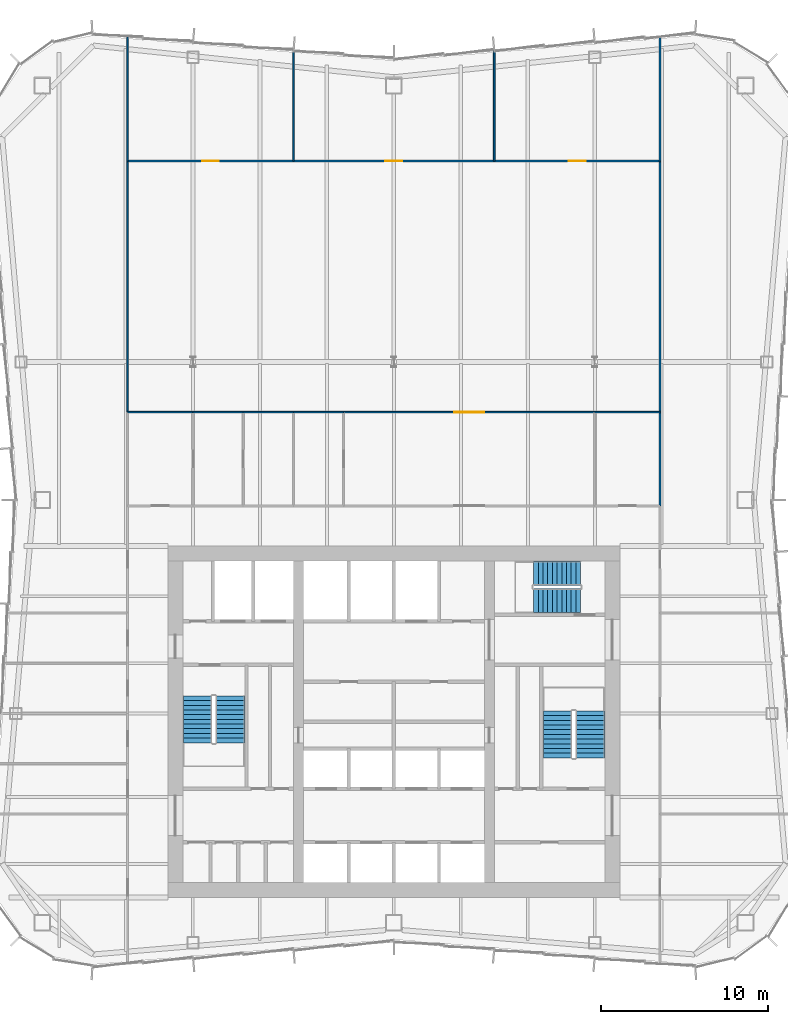
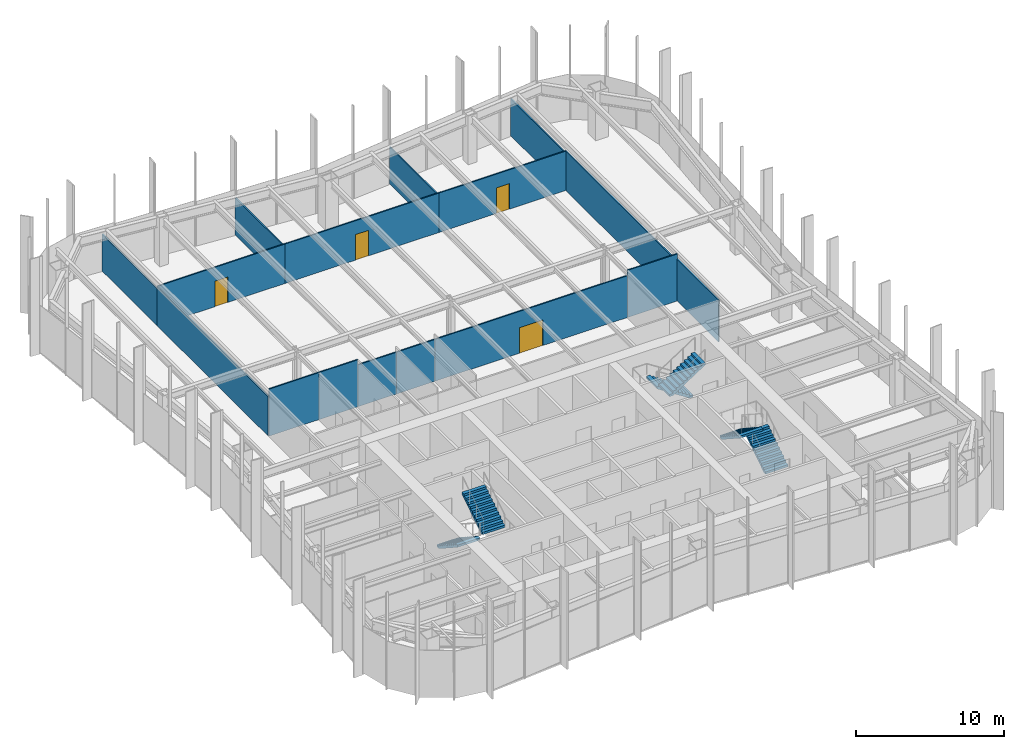
# One storey, part 12 of 13: 16 walls, 6 stair flights, 4 doors, 4 openings, 3 elements without a shape of their own.
"""IFC4 building model written with IfcOpenShell, lengths in metres."""

import ifcopenshell
import ifcopenshell.guid

model = None  # the IFC model being written
_history = None  # IfcOwnerHistory: only IFC2X3 demands one
_inside = {}  # id of a spatial element -> (the spatial element, [elements in it])
_under = {}  # id of a project, library or spatial element -> (it, [spatial elements below it])
_declared = {}  # id of a project -> (the project, [libraries it declares])
_typed = {}  # id of a type object -> (the type object, [elements of that type])
_made_of = {}  # id of a material, layer set ... -> (it, [elements and type objects made of it])


def new_model(schema):
    """Start an empty IFC model of exactly this schema.

    Asked for "IFC4X3", IfcOpenShell would pick the latest addendum, in which some entities
    have other attributes; the version numbers below select the first issue.
    IFC2X3 requires an IfcOwnerHistory on every rooted entity: one is made here for all.
    """
    global model, _history
    if schema == "IFC4X3":
        model = ifcopenshell.file(schema_version=(4, 3, 0, 0))
    else:
        model = ifcopenshell.file(schema=schema)
    _inside.clear()
    _under.clear()
    _declared.clear()
    _typed.clear()
    _made_of.clear()
    _history = None
    if model.schema == "IFC2X3":
        org = make("IfcOrganization", Name="unknown")
        user = make(
            "IfcPersonAndOrganization",
            ThePerson=make("IfcPerson", FamilyName="unknown"),
            TheOrganization=org,
        )
        app = make(
            "IfcApplication",
            ApplicationDeveloper=org,
            Version="unknown",
            ApplicationFullName="unknown",
            ApplicationIdentifier="unknown",
        )
        _history = make(
            "IfcOwnerHistory",
            OwningUser=user,
            OwningApplication=app,
            ChangeAction="ADDED",
            CreationDate=0,
        )
    return model


def make(cls, **values):
    """One entity of the class cls with the attributes given. An attribute that is None is left unset."""
    return model.create_entity(
        cls, **{name: value for name, value in values.items() if value is not None}
    )


def rooted(cls, **values):
    """An entity with a GlobalId (a new one), such as an element, a storey or a relation."""
    return make(cls, GlobalId=ifcopenshell.guid.new(), OwnerHistory=_history, **values)


def si_unit(unit_type, name, prefix=None):
    """IfcSIUnit, for example si_unit("LENGTHUNIT", "METRE", prefix="MILLI")."""
    return make("IfcSIUnit", UnitType=unit_type, Prefix=prefix, Name=name)


def assignment(units):
    """IfcUnitAssignment: the units of a project."""
    return None if units is None else make("IfcUnitAssignment", Units=units)


def point(xyz):
    """IfcCartesianPoint."""
    return None if xyz is None else make("IfcCartesianPoint", Coordinates=xyz)


def direction(xyz):
    """IfcDirection."""
    return None if xyz is None else make("IfcDirection", DirectionRatios=xyz)


def frame(location, z_axis=None, x_axis=None):
    """IfcAxis2Placement3D, a coordinate frame: its origin and axes. An axis left out is left unset."""
    return make(
        "IfcAxis2Placement3D",
        Location=point(location),
        Axis=direction(z_axis),
        RefDirection=direction(x_axis),
    )


def frame_2d(location, x_axis=None):
    """IfcAxis2Placement2D, a coordinate frame in the plane: its origin and x axis."""
    return make(
        "IfcAxis2Placement2D", Location=point(location), RefDirection=direction(x_axis)
    )


def origin():
    """The frame at (0, 0, 0) with its axes left unset."""
    return frame((0.0, 0.0, 0.0))


def place(relative_to, where):
    """IfcLocalPlacement: puts the frame where relative to a parent placement (None: the world)."""
    return make(
        "IfcLocalPlacement", PlacementRelTo=relative_to, RelativePlacement=where
    )


def context(
    kind, dimensions, precision=None, world=None, true_north=None, identifier=None
):
    """IfcGeometricRepresentationContext, for example the 3D "Model" context."""
    return make(
        "IfcGeometricRepresentationContext",
        ContextIdentifier=identifier,
        ContextType=kind,
        CoordinateSpaceDimension=dimensions,
        Precision=precision,
        WorldCoordinateSystem=world,
        TrueNorth=true_north,
    )


def subcontext(parent, identifier, kind, view, scale=None):
    """IfcGeometricRepresentationSubContext, for example "Body" below "Model"."""
    return make(
        "IfcGeometricRepresentationSubContext",
        ContextIdentifier=identifier,
        ContextType=kind,
        ParentContext=parent,
        TargetScale=scale,
        TargetView=view,
    )


def project(units=None, contexts=None):
    """IfcProject with its units and contexts."""
    return rooted(
        "IfcProject",
        Name="project",
        RepresentationContexts=contexts,
        UnitsInContext=assignment(units),
    )


def spatial(cls, under=None, at=None, **own):
    """A site, building, storey or space (cls), placed at a placement, below another one or the project."""
    s = rooted(cls, ObjectPlacement=at, **own)
    if under is not None:
        _under.setdefault(under.id(), (under, []))[1].append(s)
    return s


def polyline(points):
    """IfcPolyline through the points."""
    return make("IfcPolyline", Points=[point(p) for p in points])


def profile(cls, at=None, kind="AREA", **sizes):
    """A parametric profile (cls). Its sizes go by their IFC names, for example OverallWidth=200.0."""
    return make(cls, ProfileType=kind, Position=at, **sizes)


def rectangle(**sizes):
    """IfcRectangleProfileDef."""
    return profile("IfcRectangleProfileDef", **sizes)


def outline(outer, holes=None, kind="AREA"):
    """IfcArbitraryClosedProfileDef: a profile drawn as a closed curve; with holes, ...WithVoids."""
    if holes is None:
        return make("IfcArbitraryClosedProfileDef", ProfileType=kind, OuterCurve=outer)
    return make(
        "IfcArbitraryProfileDefWithVoids",
        ProfileType=kind,
        OuterCurve=outer,
        InnerCurves=holes,
    )


def extrude(swept, where, along, depth):
    """IfcExtrudedAreaSolid: the profile swept, set in the frame where, extruded along a direction by depth."""
    return make(
        "IfcExtrudedAreaSolid",
        SweptArea=swept,
        Position=where,
        ExtrudedDirection=direction(along),
        Depth=depth,
    )


def shape(context_of_items, identifier, shape_type, items):
    """IfcShapeRepresentation: the items that make up one representation, for example the "Body"."""
    return make(
        "IfcShapeRepresentation",
        ContextOfItems=context_of_items,
        RepresentationIdentifier=identifier,
        RepresentationType=shape_type,
        Items=items,
    )


def material(Name=None, Category=None):
    """IfcMaterial."""
    return make("IfcMaterial", Name=Name, Category=Category)


def layer(
    of_material, thickness, ventilated=None, Name=None, Category=None, Priority=None
):
    """IfcMaterialLayer: one layer of a wall or slab, of a material (None: an air gap)."""
    return make(
        "IfcMaterialLayer",
        Material=of_material,
        LayerThickness=thickness,
        IsVentilated=ventilated,
        Name=Name,
        Category=Category,
        Priority=Priority,
    )


def layer_set(layers, Name=None):
    """IfcMaterialLayerSet."""
    return make("IfcMaterialLayerSet", MaterialLayers=layers, LayerSetName=Name)


def made_of(thing, what):
    """Note that an element or type object is made of a material, layer set ...; save() writes the relation."""
    if what is not None:
        _made_of.setdefault(what.id(), (what, []))[1].append(thing)
    return thing


def type_object(cls, material=None, **own):
    """A type object (cls), such as IfcWallType, which elements share."""
    return made_of(rooted(cls, **own), material)


def element(
    cls,
    number,
    at=None,
    inside=None,
    cuts=None,
    type_object=None,
    material=None,
    context=None,
    identifier="Body",
    shape_type=None,
    held_by="IfcProductDefinitionShape",
    body=None,
    shapes=None,
    **own,
):
    """One element of the class cls, such as IfcWall. Its Tag is "e" and its number.

    at: its placement. inside: the storey or other place that contains it. cuts: it is an
    opening in that element (IfcRelVoidsElement). A single representation is given by context,
    identifier, shape_type and body (its items); several are given by shapes. held_by: the class
    of the entity that holds the representations. save() writes the other relations.
    """
    e = rooted(cls, Tag="e%d" % number, ObjectPlacement=at, **own)
    if body is not None:
        shapes = [shape(context, identifier, shape_type, body)]
    if shapes is not None:
        e.Representation = make(held_by, Representations=shapes)
    if inside is not None:
        _inside.setdefault(inside.id(), (inside, []))[1].append(e)
    if cuts is not None:
        rooted(
            "IfcRelVoidsElement", RelatingBuildingElement=cuts, RelatedOpeningElement=e
        )
    if type_object is not None:
        _typed.setdefault(type_object.id(), (type_object, []))[1].append(e)
    return made_of(e, material)


def fill(opening, filler):
    """IfcRelFillsElement: the door or window that sits in an opening."""
    return rooted(
        "IfcRelFillsElement",
        RelatingOpeningElement=opening,
        RelatedBuildingElement=filler,
    )


def aggregate(whole, parts):
    """IfcRelAggregates: a whole, such as a stair, and the parts it consists of."""
    return rooted("IfcRelAggregates", RelatingObject=whole, RelatedObjects=parts)


def save(model, path):
    """Write the relations noted so far, then the file.

    IfcRelAggregates (storeys below a building ...), IfcRelContainedInSpatialStructure (elements
    in a storey), IfcRelDefinesByType, IfcRelAssociatesMaterial and IfcRelDeclares: one each for
    every whole, place, type object, material and project.
    """
    for whole, parts in _under.values():
        aggregate(whole, parts)
    for where, things in _inside.values():
        rooted(
            "IfcRelContainedInSpatialStructure",
            RelatedElements=things,
            RelatingStructure=where,
        )
    for kind, things in _typed.values():
        rooted("IfcRelDefinesByType", RelatedObjects=things, RelatingType=kind)
    for what, things in _made_of.values():
        rooted("IfcRelAssociatesMaterial", RelatedObjects=things, RelatingMaterial=what)
    for by, libraries in _declared.values():
        rooted("IfcRelDeclares", RelatingContext=by, RelatedDefinitions=libraries)
    model.write(path)


model = new_model("IFC4")

# Units and contexts
model_context = context("Model", 3, precision=1e-05, world=origin(), true_north=direction((0.0, 1.0)))
body_context = subcontext(model_context, "Body", "Model", "MODEL_VIEW")
ifc_project = project(units=[si_unit("LENGTHUNIT", "METRE"), si_unit("AREAUNIT", "SQUARE_METRE"), si_unit("VOLUMEUNIT", "CUBIC_METRE"), si_unit("PLANEANGLEUNIT", "RADIAN"), si_unit("MASSUNIT", "GRAM", prefix="KILO")], contexts=[model_context])

# Site, building, storey
site_placement = place(None, origin())
site = spatial("IfcSite", under=ifc_project, at=site_placement, CompositionType="ELEMENT")
building_placement = place(site_placement, origin())
building = spatial("IfcBuilding", under=site, at=building_placement, Name="Verdant Reach Tower", CompositionType="ELEMENT")
storey_placement = place(building_placement, frame((0.0, 0.0, 218.0)))
storey = spatial("IfcBuildingStorey", under=building, at=storey_placement, Name="L50", CompositionType="ELEMENT", Elevation=218.0)

# Walls
ifc_material_1 = material(Name="Gypsum board on steel studs", Category="steel")
ifc_layer = layer(ifc_material_1, 0.10009765625)
ifc_layer_set = layer_set([ifc_layer], Name="FL-W1 Partition 100")
wall_type = type_object("IfcWallType", Name="FL-W1 Partition 100", PredefinedType="PARTITIONING", material=ifc_layer_set)
wall_1_placement = place(storey_placement, frame((-11.99609375, 46.5, 0.0), z_axis=(0.0, 0.0, 1.0), x_axis=(-1.0, 0.0, 0.0)))
element("IfcWall", 1, at=wall_1_placement, inside=storey, type_object=wall_type, Name="Partition 50.17", PredefinedType="PARTITIONING", context=body_context, shape_type="SweptSolid", body=[
    extrude(rectangle(XDim=3.90380859375, YDim=0.10009765625, at=frame_2d((1.951904296875, 0.0))), origin(), (0.0, 0.0, 1.0), 3.8701171875),
])
wall_2_placement = place(storey_placement, frame((-8.99609375, 46.5, 0.0), z_axis=(0.0, 0.0, 1.0), x_axis=(-1.0, 0.0, 0.0)))
element("IfcWall", 2, at=wall_2_placement, inside=storey, type_object=wall_type, Name="Partition 50.20", PredefinedType="PARTITIONING", context=body_context, shape_type="SweptSolid", body=[
    extrude(rectangle(XDim=3.0078125, YDim=0.10009765625, at=frame_2d((1.50390625, 0.0))), origin(), (0.0, 0.0, 1.0), 3.8701171875),
])
for number, where, z_axis, x_axis, name in (
    (3, (-5.99609375, 46.5, 0.0), (0.0, 0.0, 1.0), (-1.0, 0.0, 0.0), "Partition 50.22"),
    (4, (-2.99609375, 46.5, 0.0), (0.0, 0.0, 1.0), (-1.0, 0.0, 0.0), "Partition 50.24"),
):
    element("IfcWall", number, at=place(storey_placement, frame(where, z_axis=z_axis, x_axis=x_axis)), inside=storey, type_object=wall_type, Name=name, PredefinedType="PARTITIONING", context=body_context, shape_type="SweptSolid", body=[
        extrude(rectangle(XDim=3.0078125, YDim=0.10009765625, at=frame_2d((1.50390625, 0.0))), origin(), (0.0, 0.0, 1.0), 3.43994140625),
    ])

# Wall, opening, door
wall_3_placement = place(storey_placement, frame((-3.00390625, 46.5, 0.0), z_axis=(0.0, 0.0, 1.0), x_axis=(1.0, 0.0, 0.0)))
wall_3 = element("IfcWall", 5, at=wall_3_placement, inside=storey, type_object=wall_type, Name="Partition 50.26", PredefinedType="PARTITIONING", context=body_context, shape_type="SweptSolid", body=[
    extrude(rectangle(XDim=15.0078125, YDim=0.10009765625, at=frame_2d((7.50390625, 0.0))), origin(), (0.0, 0.0, 1.0), 3.43994140625),
])
opening_1_placement = place(wall_3_placement, frame((6.60400390625, 0.0, 0.0)))
opening_1 = element("IfcOpeningElement", 6, at=opening_1_placement, cuts=wall_3, Name="Opening D5", PredefinedType="OPENING", context=body_context, shape_type="SweptSolid", body=[
    extrude(rectangle(XDim=1.800048828125, YDim=2.10009765625, at=frame_2d((0.89990234375, 1.050048828125))), frame((0.0, 0.06005859375, 0.0), z_axis=(0.0, -1.0, 0.0), x_axis=(1.0, 0.0, 0.0)), (0.0, 0.0, 1.0), 0.1201171875),
])
ifc_material_2 = material(Name="Painted timber door leaves", Category="wood")
door_type_1 = type_object("IfcDoorType", Name="FL-D5 Double door 1800x2100", OperationType="DOUBLE_DOOR_SINGLE_SWING", PredefinedType="DOOR", material=ifc_material_2)
door_1_placement = place(opening_1_placement, origin())
door_1 = element("IfcDoor", 7, at=door_1_placement, inside=storey, type_object=door_type_1, Name="Door 50-016", OperationType="DOUBLE_DOOR_SINGLE_SWING", OverallHeight=2.10009765625, OverallWidth=1.800048828125, PredefinedType="DOOR", context=body_context, shape_type="SweptSolid", body=[
    extrude(rectangle(XDim=1.800048828125, YDim=2.10009765625, at=frame_2d((0.89990234375, 1.050048828125))), frame((0.0, 0.02490234375, 0.0), z_axis=(0.0, -1.0, 0.0), x_axis=(1.0, 0.0, 0.0)), (0.0, 0.0, 1.0), 0.050048828125),
])
fill(opening_1, door_1)

# Walls
wall_4_placement = place(storey_placement, frame((15.89990234375, 46.5, 0.0), z_axis=(0.0, 0.0, 1.0), x_axis=(-1.0, 0.0, 0.0)))
element("IfcWall", 8, at=wall_4_placement, inside=storey, type_object=wall_type, Name="Partition 50.27", PredefinedType="PARTITIONING", context=body_context, shape_type="SweptSolid", body=[
    extrude(rectangle(XDim=3.90380859375, YDim=0.10009765625, at=frame_2d((1.951904296875, 0.0))), origin(), (0.0, 0.0, 1.0), 3.8701171875),
])
wall_5_placement = place(storey_placement, frame((15.89990234375, 40.89599609375, 0.0), z_axis=(0.0, 0.0, 1.0), x_axis=(0.0, 1.0, 0.0)))
element("IfcWall", 9, at=wall_5_placement, inside=storey, type_object=wall_type, Name="Partition 50.28", PredefinedType="PARTITIONING", context=body_context, shape_type="SweptSolid", body=[
    extrude(rectangle(XDim=5.60791015625, YDim=0.10009765625, at=frame_2d((2.803955078125, 0.0))), origin(), (0.0, 0.0, 1.0), 3.43994140625),
])

# Wall, opening, door
wall_6_placement = place(storey_placement, frame((-15.89990234375, 61.5, 0.0), z_axis=(0.0, 0.0, 1.0), x_axis=(1.0, 0.0, 0.0)))
wall_6 = element("IfcWall", 10, at=wall_6_placement, inside=storey, type_object=wall_type, Name="Partition 50.29", PredefinedType="PARTITIONING", context=body_context, shape_type="SweptSolid", body=[
    extrude(rectangle(XDim=9.89990234375, YDim=0.10009765625, at=frame_2d((4.949951171875, 0.0))), origin(), (0.0, 0.0, 1.0), 3.239990234375),
])
opening_2_placement = place(wall_6_placement, frame((4.449951171875, 0.0, 0.0)))
opening_2 = element("IfcOpeningElement", 11, at=opening_2_placement, cuts=wall_6, Name="Opening D3", PredefinedType="OPENING", context=body_context, shape_type="SweptSolid", body=[
    extrude(rectangle(XDim=1.0, YDim=2.10009765625, at=frame_2d((0.5, 1.050048828125))), frame((0.0, 0.06005859375, 0.0), z_axis=(0.0, -1.0, 0.0), x_axis=(1.0, 0.0, 0.0)), (0.0, 0.0, 1.0), 0.1201171875),
])
ifc_material_3 = material(Name="Painted timber door leaf", Category="wood")
door_type_2 = type_object("IfcDoorType", Name="FL-D3 Door 1000x2100", OperationType="NOTDEFINED", PredefinedType="DOOR", material=ifc_material_3)
door_2_placement = place(opening_2_placement, origin())
door_2 = element("IfcDoor", 12, at=door_2_placement, inside=storey, type_object=door_type_2, Name="Door 50-017", OperationType="SINGLE_SWING_LEFT", OverallHeight=2.10009765625, OverallWidth=1.0, PredefinedType="DOOR", context=body_context, shape_type="SweptSolid", body=[
    extrude(rectangle(XDim=1.0, YDim=2.10009765625, at=frame_2d((0.5, 1.050048828125))), frame((0.0, 0.02490234375, 0.0), z_axis=(0.0, -1.0, 0.0), x_axis=(1.0, 0.0, 0.0)), (0.0, 0.0, 1.0), 0.050048828125),
])
fill(opening_2, door_2)

wall_7_placement = place(storey_placement, frame((-6.0, 61.5, 0.0), z_axis=(0.0, 0.0, 1.0), x_axis=(1.0, 0.0, 0.0)))
wall_7 = element("IfcWall", 13, at=wall_7_placement, inside=storey, type_object=wall_type, Name="Partition 50.30", PredefinedType="PARTITIONING", context=body_context, shape_type="SweptSolid", body=[
    extrude(rectangle(XDim=12.0, YDim=0.10009765625, at=frame_2d((6.0, 0.0))), origin(), (0.0, 0.0, 1.0), 3.239990234375),
])
opening_3_placement = place(wall_7_placement, frame((5.5, 0.0, 0.0)))
opening_3 = element("IfcOpeningElement", 14, at=opening_3_placement, cuts=wall_7, Name="Opening D3", PredefinedType="OPENING", context=body_context, shape_type="SweptSolid", body=[
    extrude(rectangle(XDim=1.0, YDim=2.10009765625, at=frame_2d((0.5, 1.050048828125))), frame((0.0, 0.06005859375, 0.0), z_axis=(0.0, -1.0, 0.0), x_axis=(1.0, 0.0, 0.0)), (0.0, 0.0, 1.0), 0.1201171875),
])
door_3_placement = place(opening_3_placement, origin())
door_3 = element("IfcDoor", 15, at=door_3_placement, inside=storey, type_object=door_type_2, Name="Door 50-018", OperationType="SINGLE_SWING_RIGHT", OverallHeight=2.10009765625, OverallWidth=1.0, PredefinedType="DOOR", context=body_context, shape_type="SweptSolid", body=[
    extrude(rectangle(XDim=1.0, YDim=2.10009765625, at=frame_2d((0.5, 1.050048828125))), frame((0.0, 0.02490234375, 0.0), z_axis=(0.0, -1.0, 0.0), x_axis=(1.0, 0.0, 0.0)), (0.0, 0.0, 1.0), 0.050048828125),
])
fill(opening_3, door_3)

wall_8_placement = place(storey_placement, frame((6.0, 61.5, 0.0), z_axis=(0.0, 0.0, 1.0), x_axis=(1.0, 0.0, 0.0)))
wall_8 = element("IfcWall", 16, at=wall_8_placement, inside=storey, type_object=wall_type, Name="Partition 50.31", PredefinedType="PARTITIONING", context=body_context, shape_type="SweptSolid", body=[
    extrude(rectangle(XDim=9.89990234375, YDim=0.10009765625, at=frame_2d((4.949951171875, 0.0))), origin(), (0.0, 0.0, 1.0), 3.239990234375),
])
opening_4_placement = place(wall_8_placement, frame((4.449951171875, 0.0, 0.0)))
opening_4 = element("IfcOpeningElement", 17, at=opening_4_placement, cuts=wall_8, Name="Opening D3", PredefinedType="OPENING", context=body_context, shape_type="SweptSolid", body=[
    extrude(rectangle(XDim=1.0, YDim=2.10009765625, at=frame_2d((0.5, 1.050048828125))), frame((0.0, 0.06005859375, 0.0), z_axis=(0.0, -1.0, 0.0), x_axis=(1.0, 0.0, 0.0)), (0.0, 0.0, 1.0), 0.1201171875),
])
door_4_placement = place(opening_4_placement, origin())
door_4 = element("IfcDoor", 18, at=door_4_placement, inside=storey, type_object=door_type_2, Name="Door 50-019", OperationType="SINGLE_SWING_LEFT", OverallHeight=2.10009765625, OverallWidth=1.0, PredefinedType="DOOR", context=body_context, shape_type="SweptSolid", body=[
    extrude(rectangle(XDim=1.0, YDim=2.10009765625, at=frame_2d((0.5, 1.050048828125))), frame((0.0, 0.02490234375, 0.0), z_axis=(0.0, -1.0, 0.0), x_axis=(1.0, 0.0, 0.0)), (0.0, 0.0, 1.0), 0.050048828125),
])
fill(opening_4, door_4)

# Walls
for number, where, z_axis, x_axis, name in (
    (19, (-15.89990234375, 61.50390625, 0.0), (0.0, 0.0, 1.0), (0.0, -1.0, 0.0), "Partition 50.32"),
    (20, (15.89990234375, 46.49609375, 0.0), (0.0, 0.0, 1.0), (0.0, 1.0, 0.0), "Partition 50.33"),
):
    element("IfcWall", number, at=place(storey_placement, frame(where, z_axis=z_axis, x_axis=x_axis)), inside=storey, type_object=wall_type, Name=name, PredefinedType="PARTITIONING", context=body_context, shape_type="SweptSolid", body=[
        extrude(rectangle(XDim=15.0078125, YDim=0.10009765625, at=frame_2d((7.50390625, 0.0))), origin(), (0.0, 0.0, 1.0), 3.239990234375),
    ])
wall_9_placement = place(storey_placement, frame((-6.0, 61.5, 0.0), z_axis=(0.0, 0.0, 1.0), x_axis=(0.0, 1.0, 0.0)))
element("IfcWall", 21, at=wall_9_placement, inside=storey, type_object=wall_type, Name="Partition 50.34", PredefinedType="PARTITIONING", context=body_context, shape_type="SweptSolid", body=[
    extrude(rectangle(XDim=6.580078125, YDim=0.10009765625, at=frame_2d((3.2900390625, 0.0))), origin(), (0.0, 0.0, 1.0), 3.0400390625),
])
wall_10_placement = place(storey_placement, frame((-15.89990234375, 68.905029296875, 0.0), z_axis=(0.0, 0.0, 1.0), x_axis=(0.0, -1.0, 0.0)))
element("IfcWall", 22, at=wall_10_placement, inside=storey, type_object=wall_type, Name="Partition 50.35", PredefinedType="PARTITIONING", context=body_context, shape_type="SweptSolid", body=[
    extrude(rectangle(XDim=7.408935546875, YDim=0.10009765625, at=frame_2d((3.70458984375, 0.0))), origin(), (0.0, 0.0, 1.0), 3.0400390625),
])
wall_11_placement = place(storey_placement, frame((6.0, 61.5, 0.0), z_axis=(0.0, 0.0, 1.0), x_axis=(0.0, 1.0, 0.0)))
element("IfcWall", 23, at=wall_11_placement, inside=storey, type_object=wall_type, Name="Partition 50.36", PredefinedType="PARTITIONING", context=body_context, shape_type="SweptSolid", body=[
    extrude(rectangle(XDim=6.580078125, YDim=0.10009765625, at=frame_2d((3.2900390625, 0.0))), origin(), (0.0, 0.0, 1.0), 3.0400390625),
])
wall_12_placement = place(storey_placement, frame((15.89990234375, 61.49609375, 0.0), z_axis=(0.0, 0.0, 1.0), x_axis=(0.0, 1.0, 0.0)))
element("IfcWall", 24, at=wall_12_placement, inside=storey, type_object=wall_type, Name="Partition 50.37", PredefinedType="PARTITIONING", context=body_context, shape_type="SweptSolid", body=[
    extrude(rectangle(XDim=7.408935546875, YDim=0.10009765625, at=frame_2d((3.70458984375, 0.0))), origin(), (0.0, 0.0, 1.0), 3.0400390625),
])

# Stair, stair flights
ifc_material_4 = material(Name="Concrete C40/50", Category="concrete")
stair_type = type_object("IfcStairType", Name="CO-STAIR", PredefinedType="HALF_TURN_STAIR", material=ifc_material_4)
stair_1_placement = place(storey_placement, origin())
stair_1 = element("IfcStair", 25, at=stair_1_placement, inside=storey, type_object=stair_type, Name="L50 Exit stair 1", PredefinedType="HALF_TURN_STAIR")
stair_flight_type = type_object("IfcStairFlightType", Name="CO-STAIR-FLIGHT", PredefinedType="STRAIGHT", material=ifc_material_4)
stair_flight_1_placement = place(storey_placement, frame((-11.72509765625, 29.550048828125, 0.0), z_axis=(0.0, 0.0, 1.0), x_axis=(0.0, -1.0, 0.0)))
stair_flight_1 = element("IfcStairFlight", 26, at=stair_flight_1_placement, type_object=stair_flight_type, Name="ST-1 flight 1", NumberOfRisers=11, NumberOfTreads=10, PredefinedType="STRAIGHT", RiserHeight=0.181818182, TreadLength=0.28, context=body_context, shape_type="SweptSolid", body=[
    extrude(outline(polyline([(0.0, 0.0), (0.0, 0.181884765625), (0.280029296875, 0.181884765625), (0.280029296875, 0.363525390625), (0.56005859375, 0.363525390625), (0.56005859375, 0.54541015625), (0.840087890625, 0.54541015625), (0.840087890625, 0.727294921875), (1.1201171875, 0.727294921875), (1.1201171875, 0.9091796875), (1.39990234375, 0.9091796875), (1.39990234375, 1.0908203125), (1.679931640625, 1.0908203125), (1.679931640625, 1.272705078125), (1.9599609375, 1.272705078125), (1.9599609375, 1.45458984375), (2.239990234375, 1.45458984375), (2.239990234375, 1.636474609375), (2.52001953125, 1.636474609375), (2.52001953125, 1.818115234375), (2.800048828125, 1.818115234375), (2.800048828125, 2.0), (2.800048828125, 1.639404296875), (0.275146484375, 0.0), (0.0, 0.0)])), frame((0.0, 0.875, 0.0), z_axis=(0.0, -1.0, 0.0), x_axis=(1.0, 0.0, 0.0)), (0.0, 0.0, 1.0), 1.75),
])
stair_flight_2_placement = place(storey_placement, frame((-9.77490234375, 26.75, 2.0), z_axis=(0.0, 0.0, 1.0), x_axis=(0.0, 1.0, 0.0)))
stair_flight_2 = element("IfcStairFlight", 27, at=stair_flight_2_placement, type_object=stair_flight_type, Name="ST-1 flight 2", NumberOfRisers=11, NumberOfTreads=10, PredefinedType="STRAIGHT", RiserHeight=0.181818182, TreadLength=0.28, context=body_context, shape_type="SweptSolid", body=[
    extrude(outline(polyline([(0.0, 0.0), (0.0, 0.181884765625), (0.280029296875, 0.181884765625), (0.280029296875, 0.363525390625), (0.56005859375, 0.363525390625), (0.56005859375, 0.54541015625), (0.840087890625, 0.54541015625), (0.840087890625, 0.727294921875), (1.1201171875, 0.727294921875), (1.1201171875, 0.9091796875), (1.39990234375, 0.9091796875), (1.39990234375, 1.0908203125), (1.679931640625, 1.0908203125), (1.679931640625, 1.272705078125), (1.9599609375, 1.272705078125), (1.9599609375, 1.45458984375), (2.239990234375, 1.45458984375), (2.239990234375, 1.636474609375), (2.52001953125, 1.636474609375), (2.52001953125, 1.818115234375), (2.800048828125, 1.818115234375), (2.800048828125, 2.0), (2.800048828125, 1.639404296875), (0.275146484375, 0.0), (0.0, 0.0)])), frame((0.0, 0.875, 0.0), z_axis=(0.0, -1.0, 0.0), x_axis=(1.0, 0.0, 0.0)), (0.0, 0.0, 1.0), 1.75),
])
aggregate(stair_1, [stair_flight_1, stair_flight_2])

stair_2_placement = place(storey_placement, origin())
stair_2 = element("IfcStair", 28, at=stair_2_placement, inside=storey, type_object=stair_type, Name="L50 Exit stair 2", PredefinedType="HALF_TURN_STAIR")
stair_flight_3_placement = place(storey_placement, frame((11.72509765625, 25.85009765625, 0.0), z_axis=(0.0, 0.0, 1.0), x_axis=(0.0, 1.0, 0.0)))
stair_flight_3 = element("IfcStairFlight", 29, at=stair_flight_3_placement, type_object=stair_flight_type, Name="ST-2 flight 1", NumberOfRisers=11, NumberOfTreads=10, PredefinedType="STRAIGHT", RiserHeight=0.181818182, TreadLength=0.28, context=body_context, shape_type="SweptSolid", body=[
    extrude(outline(polyline([(0.0, 0.0), (0.0, 0.181884765625), (0.280029296875, 0.181884765625), (0.280029296875, 0.363525390625), (0.56005859375, 0.363525390625), (0.56005859375, 0.54541015625), (0.840087890625, 0.54541015625), (0.840087890625, 0.727294921875), (1.1201171875, 0.727294921875), (1.1201171875, 0.9091796875), (1.39990234375, 0.9091796875), (1.39990234375, 1.0908203125), (1.679931640625, 1.0908203125), (1.679931640625, 1.272705078125), (1.9599609375, 1.272705078125), (1.9599609375, 1.45458984375), (2.239990234375, 1.45458984375), (2.239990234375, 1.636474609375), (2.52001953125, 1.636474609375), (2.52001953125, 1.818115234375), (2.800048828125, 1.818115234375), (2.800048828125, 2.0), (2.800048828125, 1.639404296875), (0.275146484375, 0.0), (0.0, 0.0)])), frame((0.0, 0.875, 0.0), z_axis=(0.0, -1.0, 0.0), x_axis=(1.0, 0.0, 0.0)), (0.0, 0.0, 1.0), 1.75),
])
stair_flight_4_placement = place(storey_placement, frame((9.77490234375, 28.64990234375, 2.0), z_axis=(0.0, 0.0, 1.0), x_axis=(0.0, -1.0, 0.0)))
stair_flight_4 = element("IfcStairFlight", 30, at=stair_flight_4_placement, type_object=stair_flight_type, Name="ST-2 flight 2", NumberOfRisers=11, NumberOfTreads=10, PredefinedType="STRAIGHT", RiserHeight=0.181818182, TreadLength=0.28, context=body_context, shape_type="SweptSolid", body=[
    extrude(outline(polyline([(0.0, 0.0), (0.0, 0.181884765625), (0.280029296875, 0.181884765625), (0.280029296875, 0.363525390625), (0.56005859375, 0.363525390625), (0.56005859375, 0.54541015625), (0.840087890625, 0.54541015625), (0.840087890625, 0.727294921875), (1.1201171875, 0.727294921875), (1.1201171875, 0.9091796875), (1.39990234375, 0.9091796875), (1.39990234375, 1.0908203125), (1.679931640625, 1.0908203125), (1.679931640625, 1.272705078125), (1.9599609375, 1.272705078125), (1.9599609375, 1.45458984375), (2.239990234375, 1.45458984375), (2.239990234375, 1.636474609375), (2.52001953125, 1.636474609375), (2.52001953125, 1.818115234375), (2.800048828125, 1.818115234375), (2.800048828125, 2.0), (2.800048828125, 1.639404296875), (0.275146484375, 0.0), (0.0, 0.0)])), frame((0.0, 0.875, 0.0), z_axis=(0.0, -1.0, 0.0), x_axis=(1.0, 0.0, 0.0)), (0.0, 0.0, 1.0), 1.75),
])
aggregate(stair_2, [stair_flight_3, stair_flight_4])

stair_3_placement = place(storey_placement, origin())
stair_3 = element("IfcStair", 31, at=stair_3_placement, inside=storey, type_object=stair_type, Name="L50 Exit stair 3", PredefinedType="HALF_TURN_STAIR")
stair_flight_5_placement = place(storey_placement, frame((11.14990234375, 36.875, 0.0), z_axis=(0.0, 0.0, 1.0), x_axis=(-1.0, 0.0, 0.0)))
stair_flight_5 = element("IfcStairFlight", 32, at=stair_flight_5_placement, type_object=stair_flight_type, Name="ST-3 flight 1", NumberOfRisers=11, NumberOfTreads=10, PredefinedType="STRAIGHT", RiserHeight=0.181818182, TreadLength=0.28, context=body_context, shape_type="SweptSolid", body=[
    extrude(outline(polyline([(0.0, 0.0), (0.0, 0.181884765625), (0.280029296875, 0.181884765625), (0.280029296875, 0.363525390625), (0.56005859375, 0.363525390625), (0.56005859375, 0.54541015625), (0.840087890625, 0.54541015625), (0.840087890625, 0.727294921875), (1.1201171875, 0.727294921875), (1.1201171875, 0.9091796875), (1.39990234375, 0.9091796875), (1.39990234375, 1.0908203125), (1.679931640625, 1.0908203125), (1.679931640625, 1.272705078125), (1.9599609375, 1.272705078125), (1.9599609375, 1.45458984375), (2.239990234375, 1.45458984375), (2.239990234375, 1.636474609375), (2.52001953125, 1.636474609375), (2.52001953125, 1.818115234375), (2.800048828125, 1.818115234375), (2.800048828125, 2.0), (2.800048828125, 1.639404296875), (0.275146484375, 0.0), (0.0, 0.0)])), frame((0.0, 0.72509765625, 0.0), z_axis=(0.0, -1.0, 0.0), x_axis=(1.0, 0.0, 0.0)), (0.0, 0.0, 1.0), 1.449951171875),
])
stair_flight_6_placement = place(storey_placement, frame((8.35009765625, 35.22509765625, 2.0), z_axis=(0.0, 0.0, 1.0), x_axis=(1.0, 0.0, 0.0)))
stair_flight_6 = element("IfcStairFlight", 33, at=stair_flight_6_placement, type_object=stair_flight_type, Name="ST-3 flight 2", NumberOfRisers=11, NumberOfTreads=10, PredefinedType="STRAIGHT", RiserHeight=0.181818182, TreadLength=0.28, context=body_context, shape_type="SweptSolid", body=[
    extrude(outline(polyline([(0.0, 0.0), (0.0, 0.181884765625), (0.280029296875, 0.181884765625), (0.280029296875, 0.363525390625), (0.56005859375, 0.363525390625), (0.56005859375, 0.54541015625), (0.840087890625, 0.54541015625), (0.840087890625, 0.727294921875), (1.1201171875, 0.727294921875), (1.1201171875, 0.9091796875), (1.39990234375, 0.9091796875), (1.39990234375, 1.0908203125), (1.679931640625, 1.0908203125), (1.679931640625, 1.272705078125), (1.9599609375, 1.272705078125), (1.9599609375, 1.45458984375), (2.239990234375, 1.45458984375), (2.239990234375, 1.636474609375), (2.52001953125, 1.636474609375), (2.52001953125, 1.818115234375), (2.800048828125, 1.818115234375), (2.800048828125, 2.0), (2.800048828125, 1.639404296875), (0.275146484375, 0.0), (0.0, 0.0)])), frame((0.0, 0.72509765625, 0.0), z_axis=(0.0, -1.0, 0.0), x_axis=(1.0, 0.0, 0.0)), (0.0, 0.0, 1.0), 1.449951171875),
])
aggregate(stair_3, [stair_flight_5, stair_flight_6])

save(model, "model.ifc")
